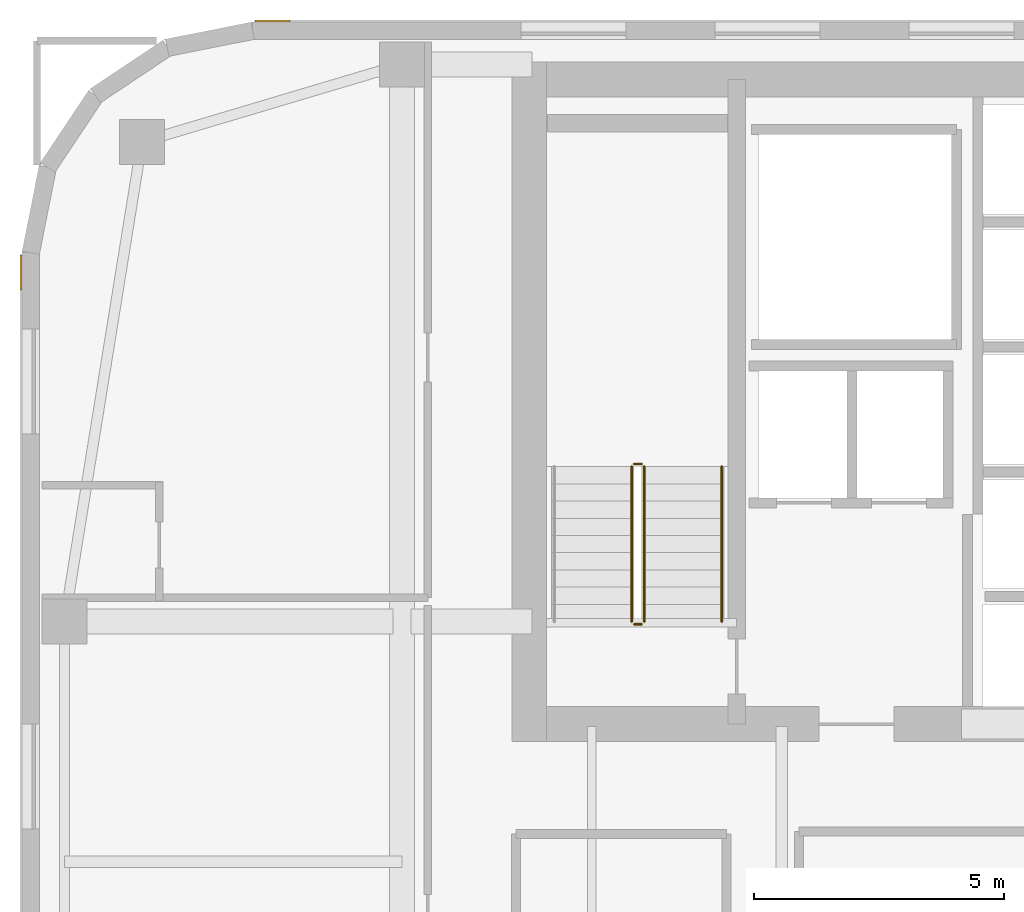
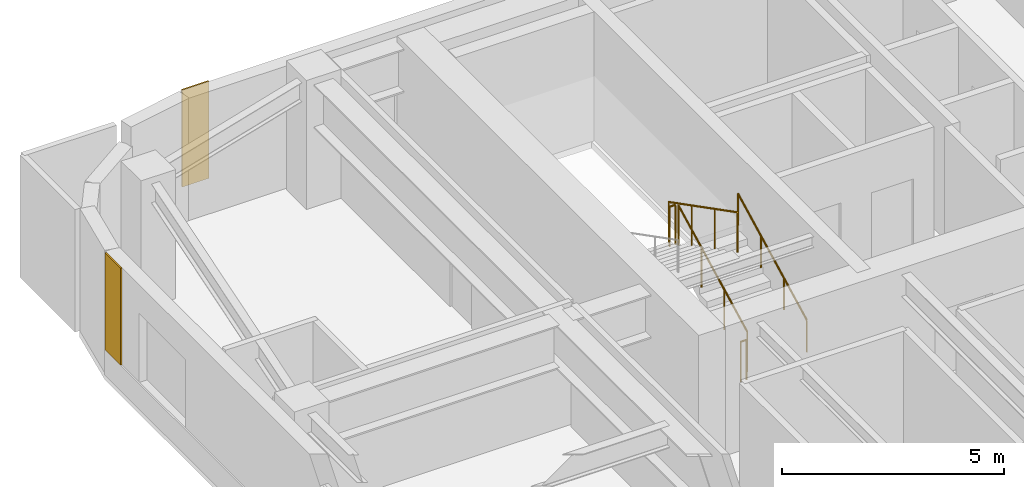
# One storey, part 22 of 24: 5 railings, 2 coverings.
"""IFC4 building model written with IfcOpenShell, lengths in metres."""

from ifc_helpers import new_model, si_unit, direction, frame, origin, origin_2d, place, context, subcontext, project, spatial, polyline, circle, outline, extrude, material, layer, layer_set, type_object, element, save


model = new_model("IFC4")

# Units and contexts
model_context = context("Model", 3, precision=1e-05, world=origin(), true_north=direction((0.0, 1.0)))
body_context = subcontext(model_context, "Body", "Model", "MODEL_VIEW")
ifc_project = project(units=[si_unit("LENGTHUNIT", "METRE"), si_unit("AREAUNIT", "SQUARE_METRE"), si_unit("VOLUMEUNIT", "CUBIC_METRE"), si_unit("PLANEANGLEUNIT", "RADIAN"), si_unit("MASSUNIT", "GRAM", prefix="KILO")], contexts=[model_context])

# Site, building, storey
site_placement = place(None, origin())
site = spatial("IfcSite", under=ifc_project, at=site_placement, CompositionType="ELEMENT")
building_placement = place(site_placement, origin())
building = spatial("IfcBuilding", under=site, at=building_placement, Name="Tolvann Quenvar Hotel", CompositionType="ELEMENT")
storey_placement = place(building_placement, frame((0.0, 0.0, 118.64990234375)))
storey = spatial("IfcBuildingStorey", under=building, at=storey_placement, Name="L30", CompositionType="ELEMENT", Elevation=118.64990234375)

# Coverings
ifc_material_1 = material(Name="Kiln-fired red architectural face brick cladding", Category="masonry")
ifc_layer = layer(ifc_material_1, 0.0400390625)
ifc_layer_set = layer_set([ifc_layer], Name="Kiln-fired red architectural face brick cladding")
covering_type = type_object("IfcCoveringType", Name="COV_CLAD_BRICK_40", PredefinedType="CLADDING", material=ifc_layer_set)
covering_1_placement = place(storey_placement, frame((0.0, 0.0, 0.7001953125)))
element("IfcCovering", 1, at=covering_1_placement, inside=storey, type_object=covering_type, Name="Brick Pier Cladding (L30-E18-P2)", PredefinedType="CLADDING", context=body_context, shape_type="SweptSolid", body=[
    extrude(outline(polyline([(5.3671875, 46.0), (4.667236328125, 46.0), (4.667236328125, 46.0400390625), (5.3671875, 46.0400390625), (5.3671875, 46.0)])), origin(), (0.0, 0.0, 1.0), 2.669921875),
])
covering_2_placement = place(storey_placement, frame((0.0, 0.0, 0.7001953125)))
element("IfcCovering", 2, at=covering_2_placement, inside=storey, type_object=covering_type, Name="Brick Pier Cladding (L30-E23-P1)", PredefinedType="CLADDING", context=body_context, shape_type="SweptSolid", body=[
    extrude(outline(polyline([(0.0, 41.332763671875), (0.0, 40.6328125), (-0.0400390625, 40.6328125), (-0.0400390625, 41.332763671875), (0.0, 41.332763671875)])), origin(), (0.0, 0.0, 1.0), 2.669921875),
])

# Railings
ifc_material_2 = material(Name="Brushed 316 stainless steel balustrade and handrail", Category="steel")
railing_type_1 = type_object("IfcRailingType", Name="GUARDRAIL", PredefinedType="GUARDRAIL", material=ifc_material_2)
railing_1_placement = place(storey_placement, frame((12.449951171875, 34.0, 0.177490234375)))
element("IfcRailing", 3, at=railing_1_placement, inside=storey, type_object=railing_type_1, Name="L30 ST-C1 stair guard 1", PredefinedType="GUARDRAIL", context=body_context, shape_type="SweptSolid", body=[
    extrude(circle(Radius=0.02392578125, at=origin_2d()), frame((0.0, 0.0, 1.09619140625), z_axis=(0.0, 0.88919353882, 0.457531256332), x_axis=(-1.0, 0.0, 0.0)), (0.0, 0.0, 1.0), 3.491943359375),
    extrude(circle(Radius=0.02099609375, at=origin_2d()), origin(), (0.0, 0.0, 1.0), 1.072021484375),
    extrude(circle(Radius=0.02099609375, at=origin_2d()), frame((0.0, 1.034912109375, 0.532470703125)), (0.0, 0.0, 1.0), 1.072021484375),
    extrude(circle(Radius=0.02099609375, at=origin_2d()), frame((0.0, 2.070068359375, 1.065185546875)), (0.0, 0.0, 1.0), 1.072021484375),
    extrude(circle(Radius=0.02099609375, at=origin_2d()), frame((0.0, 3.10498046875, 1.59765625)), (0.0, 0.0, 1.0), 1.072021484375),
])
railing_2_placement = place(storey_placement, frame((12.39990234375, 37.155029296875, 1.775146484375)))
element("IfcRailing", 4, at=railing_2_placement, inside=storey, type_object=railing_type_1, Name="L30 ST-C1 stair guard 2", PredefinedType="GUARDRAIL", context=body_context, shape_type="SweptSolid", body=[
    extrude(circle(Radius=0.02392578125, at=origin_2d()), frame((0.0, 0.0, 1.09619140625), z_axis=(-1.0, 0.0, 0.0), x_axis=(0.0, -1.0, 0.0)), (0.0, 0.0, 1.0), 0.14990234375),
    extrude(circle(Radius=0.02099609375, at=origin_2d()), origin(), (0.0, 0.0, 1.0), 1.072021484375),
    extrude(circle(Radius=0.02099609375, at=origin_2d()), frame((-0.14990234375, 0.0, 0.0)), (0.0, 0.0, 1.0), 1.072021484375),
])
railing_3_placement = place(storey_placement, frame((12.199951171875, 37.10498046875, 1.95263671875)))
element("IfcRailing", 5, at=railing_3_placement, inside=storey, type_object=railing_type_1, Name="L30 ST-C1 stair guard 3", PredefinedType="GUARDRAIL", context=body_context, shape_type="SweptSolid", body=[
    extrude(circle(Radius=0.02392578125, at=origin_2d()), frame((0.0, 0.0, 1.09619140625), z_axis=(0.0, -0.889221982265, 0.45747597342), x_axis=(1.0, 0.0, 0.0)), (0.0, 0.0, 1.0), 3.49169921875),
    extrude(circle(Radius=0.02099609375, at=origin_2d()), origin(), (0.0, 0.0, 1.0), 1.072021484375),
    extrude(circle(Radius=0.02099609375, at=origin_2d()), frame((0.0, -1.034912109375, 0.532470703125)), (0.0, 0.0, 1.0), 1.072021484375),
    extrude(circle(Radius=0.02099609375, at=origin_2d()), frame((0.0, -2.070068359375, 1.06494140625)), (0.0, 0.0, 1.0), 1.072021484375),
    extrude(circle(Radius=0.02099609375, at=origin_2d()), frame((0.0, -3.10498046875, 1.597412109375)), (0.0, 0.0, 1.0), 1.072021484375),
])
railing_4_placement = place(storey_placement, frame((12.39990234375, 33.949951171875, 0.0)))
element("IfcRailing", 6, at=railing_4_placement, inside=storey, type_object=railing_type_1, Name="L30 ST-C1 stair guard 4", PredefinedType="GUARDRAIL", context=body_context, shape_type="SweptSolid", body=[
    extrude(circle(Radius=0.02392578125, at=origin_2d()), frame((0.0, 0.0, 1.09619140625), z_axis=(-1.0, 0.0, 0.0), x_axis=(0.0, -1.0, 0.0)), (0.0, 0.0, 1.0), 0.14990234375),
    extrude(circle(Radius=0.02099609375, at=origin_2d()), origin(), (0.0, 0.0, 1.0), 1.072021484375),
    extrude(circle(Radius=0.02099609375, at=origin_2d()), frame((-0.14990234375, 0.0, 0.0)), (0.0, 0.0, 1.0), 1.072021484375),
])
railing_type_2 = type_object("IfcRailingType", Name="HANDRAIL", PredefinedType="HANDRAIL", material=ifc_material_2)
railing_5_placement = place(storey_placement, frame((14.0, 34.0, 0.177490234375)))
element("IfcRailing", 7, at=railing_5_placement, inside=storey, type_object=railing_type_2, Name="L30 ST-C1 stair handrail 1", PredefinedType="HANDRAIL", context=body_context, shape_type="SweptSolid", body=[
    extrude(circle(Radius=0.02392578125, at=origin_2d()), frame((0.0, 0.0, 0.8759765625), z_axis=(0.0, 0.88919353882, 0.457531256332), x_axis=(-1.0, 0.0, 0.0)), (0.0, 0.0, 1.0), 3.491943359375),
    extrude(circle(Radius=0.02099609375, at=origin_2d()), origin(), (0.0, 0.0, 1.0), 0.851806640625),
    extrude(circle(Radius=0.02099609375, at=origin_2d()), frame((0.0, 1.034912109375, 0.532470703125)), (0.0, 0.0, 1.0), 0.851806640625),
    extrude(circle(Radius=0.02099609375, at=origin_2d()), frame((0.0, 2.070068359375, 1.065185546875)), (0.0, 0.0, 1.0), 0.851806640625),
    extrude(circle(Radius=0.02099609375, at=origin_2d()), frame((0.0, 3.10498046875, 1.59765625)), (0.0, 0.0, 1.0), 0.851806640625),
])

save(model, "model.ifc")
